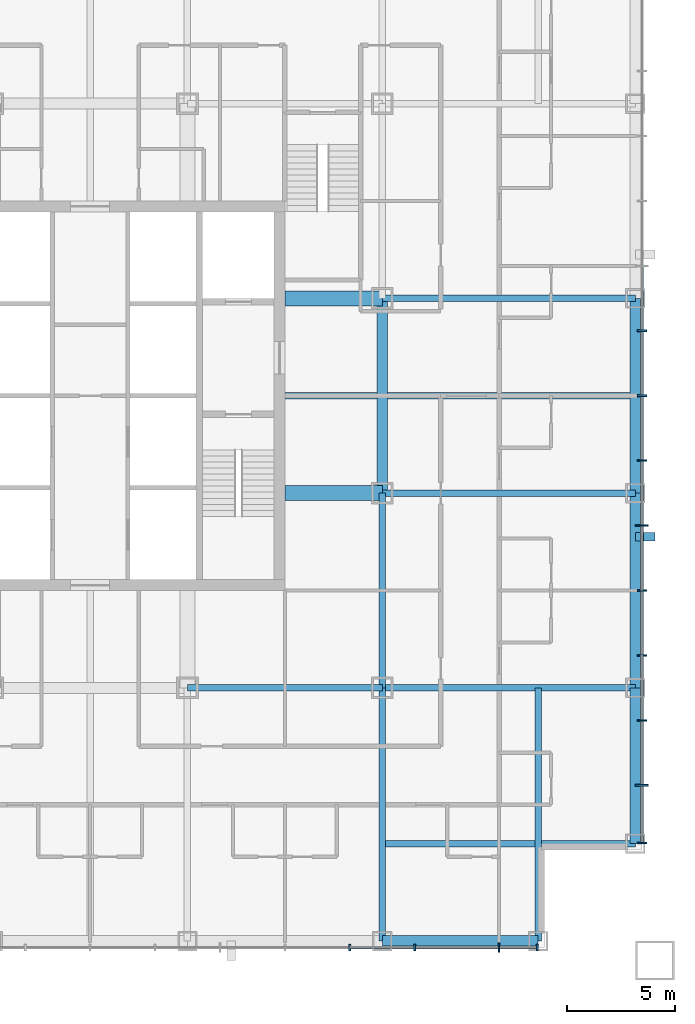
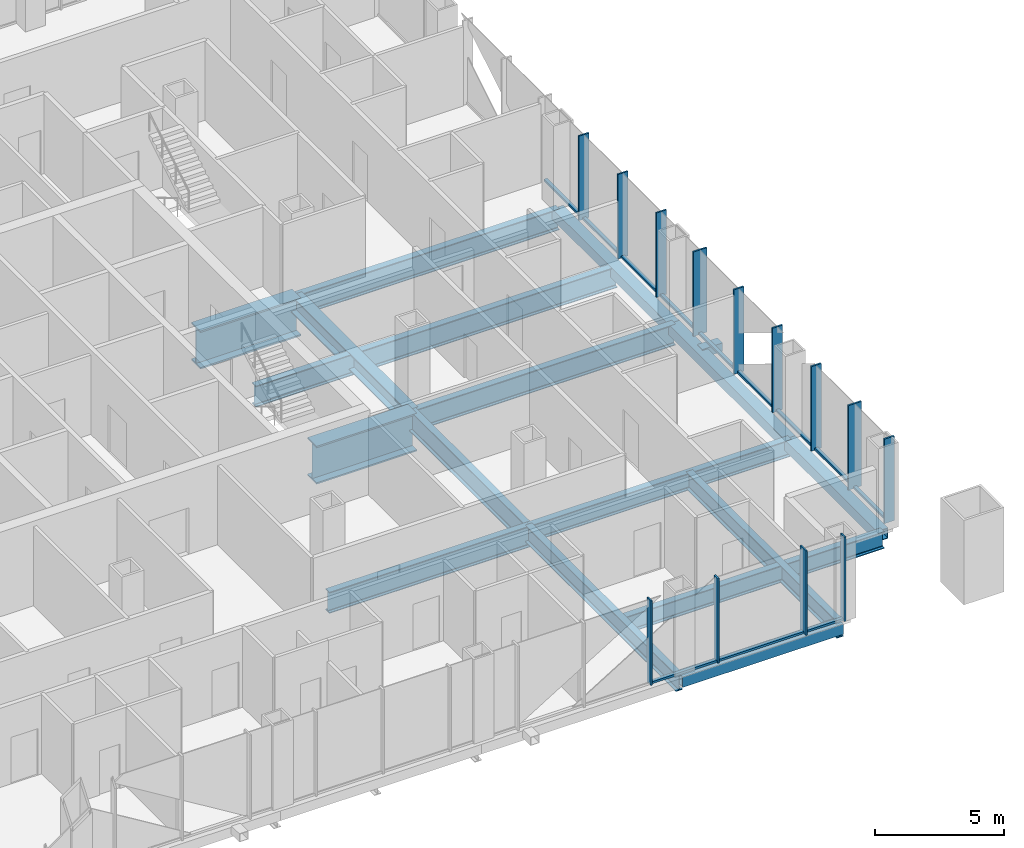
# One storey, part 3 of 17: 26 members, 16 beams, 2 elements without a shape of their own.
"""IFC4 building model written with IfcOpenShell, lengths in metres."""

from ifc_helpers import new_model, si_unit, direction, frame, origin, origin_2d, place, context, subcontext, project, spatial, rectangle, hollow_rectangle, i_section, extrude, material, layer, layer_set, material_profile, profile_set, type_object, element, aggregate, save


model = new_model("IFC4")

# Units and contexts
model_context = context("Model", 3, precision=1e-05, world=origin(), true_north=direction((0.0, 1.0)))
body_context = subcontext(model_context, "Body", "Model", "MODEL_VIEW")
ifc_project = project(units=[si_unit("LENGTHUNIT", "METRE"), si_unit("AREAUNIT", "SQUARE_METRE"), si_unit("VOLUMEUNIT", "CUBIC_METRE"), si_unit("PLANEANGLEUNIT", "RADIAN"), si_unit("MASSUNIT", "GRAM", prefix="KILO")], contexts=[model_context])

# Site, building, storey
site_placement = place(None, origin())
site = spatial("IfcSite", under=ifc_project, at=site_placement, CompositionType="ELEMENT")
building_placement = place(site_placement, origin())
building = spatial("IfcBuilding", under=site, at=building_placement, Name="Malebo Sky Hospital", CompositionType="ELEMENT")
storey_placement = place(building_placement, frame((0.0, 0.0, 51.0)))
storey = spatial("IfcBuildingStorey", under=building, at=storey_placement, Name="L11", CompositionType="ELEMENT", Elevation=51.0)

# Curtain wall, members
ifc_material_1 = material(Name="Anodised aluminium, natural silver", Category="aluminium")
ifc_layer_1 = layer(ifc_material_1, 0.25)
ifc_layer_set_1 = layer_set([ifc_layer_1], Name="WARD CURTAIN WALL NORTH AND SOUTH")
curtain_wall_type_1 = type_object("IfcCurtainWallType", Name="WARD CURTAIN WALL NORTH AND SOUTH", PredefinedType="NOTDEFINED", material=ifc_layer_set_1)
curtain_wall_1_placement = place(storey_placement, origin())
curtain_wall_1 = element("IfcCurtainWall", 1, at=curtain_wall_1_placement, inside=storey, type_object=curtain_wall_type_1, Name="NS curtain wall S", PredefinedType="NOTDEFINED")
ifc_material_profile_1 = material_profile(ifc_material_1, rectangle(XDim=0.14990234375, YDim=0.10009765625, at=origin_2d()), Name="ALUMINIUM TRANSOM 150x100")
ifc_profile_set_1 = profile_set([ifc_material_profile_1], Name="Anodised aluminium, natural silver")
member_type_1 = type_object("IfcMemberType", Name="ALUMINIUM TRANSOM 150x100", PredefinedType="USERDEFINED", material=ifc_profile_set_1)
member_1_placement = place(storey_placement, frame((80.625, 36.5, 0.050048828125), z_axis=(-1.0, 0.0, 0.0), x_axis=(0.0, -1.0, 0.0)))
member_1 = element("IfcMember", 2, at=member_1_placement, type_object=member_type_1, Name="Transom 1", ObjectType="TRANSOM", PredefinedType="USERDEFINED", context=body_context, shape_type="SweptSolid", body=[
    extrude(rectangle(XDim=0.14990234375, YDim=0.10009765625, at=origin_2d()), origin(), (0.0, 0.0, 1.0), 1.6875),
])
member_2_placement = place(storey_placement, frame((78.862548828125, 36.5, 0.050048828125), z_axis=(-1.0, 0.0, 0.0), x_axis=(0.0, -1.0, 0.0)))
member_2 = element("IfcMember", 3, at=member_2_placement, type_object=member_type_1, Name="Transom 2", ObjectType="TRANSOM", PredefinedType="USERDEFINED", context=body_context, shape_type="SweptSolid", body=[
    extrude(rectangle(XDim=0.14990234375, YDim=0.10009765625, at=origin_2d()), origin(), (0.0, 0.0, 1.0), 3.824951171875),
])
member_3_placement = place(storey_placement, frame((74.96240234375, 36.5, 0.050048828125), z_axis=(-1.0, 0.0, 0.0), x_axis=(0.0, -1.0, 0.0)))
member_3 = element("IfcMember", 4, at=member_3_placement, type_object=member_type_1, Name="Transom 3", ObjectType="TRANSOM", PredefinedType="USERDEFINED", context=body_context, shape_type="SweptSolid", body=[
    extrude(rectangle(XDim=0.14990234375, YDim=0.10009765625, at=origin_2d()), origin(), (0.0, 0.0, 1.0), 2.9248046875),
])

ifc_layer_2 = layer(ifc_material_1, 0.25)
ifc_layer_set_2 = layer_set([ifc_layer_2], Name="WARD CURTAIN WALL EAST AND WEST")
curtain_wall_type_2 = type_object("IfcCurtainWallType", Name="WARD CURTAIN WALL EAST AND WEST", PredefinedType="NOTDEFINED", material=ifc_layer_set_2)
curtain_wall_2_placement = place(storey_placement, origin())
curtain_wall_2 = element("IfcCurtainWall", 5, at=curtain_wall_2_placement, inside=storey, type_object=curtain_wall_type_2, Name="EW curtain wall E", PredefinedType="NOTDEFINED")
member_4_placement = place(storey_placement, frame((85.5, 67.96240234375, 0.050048828125), z_axis=(0.0, -1.0, 0.0), x_axis=(1.0, 0.0, 0.0)))
member_4 = element("IfcMember", 6, at=member_4_placement, type_object=member_type_1, Name="Transom 6", ObjectType="TRANSOM", PredefinedType="USERDEFINED", context=body_context, shape_type="SweptSolid", body=[
    extrude(rectangle(XDim=0.14990234375, YDim=0.10009765625, at=origin_2d()), origin(), (0.0, 0.0, 1.0), 2.9248046875),
])
member_5_placement = place(storey_placement, frame((85.5, 64.96240234375, 0.050048828125), z_axis=(0.0, -1.0, 0.0), x_axis=(1.0, 0.0, 0.0)))
member_5 = element("IfcMember", 7, at=member_5_placement, type_object=member_type_1, Name="Transom 7", ObjectType="TRANSOM", PredefinedType="USERDEFINED", context=body_context, shape_type="SweptSolid", body=[
    extrude(rectangle(XDim=0.14990234375, YDim=0.10009765625, at=origin_2d()), origin(), (0.0, 0.0, 1.0), 2.9248046875),
])
member_6_placement = place(storey_placement, frame((85.5, 61.96240234375, 0.050048828125), z_axis=(0.0, -1.0, 0.0), x_axis=(1.0, 0.0, 0.0)))
member_6 = element("IfcMember", 8, at=member_6_placement, type_object=member_type_1, Name="Transom 8", ObjectType="TRANSOM", PredefinedType="USERDEFINED", context=body_context, shape_type="SweptSolid", body=[
    extrude(rectangle(XDim=0.14990234375, YDim=0.10009765625, at=origin_2d()), origin(), (0.0, 0.0, 1.0), 2.9248046875),
])
member_7_placement = place(storey_placement, frame((85.5, 58.96240234375, 0.050048828125), z_axis=(0.0, -1.0, 0.0), x_axis=(1.0, 0.0, 0.0)))
member_7 = element("IfcMember", 9, at=member_7_placement, type_object=member_type_1, Name="Transom 9", ObjectType="TRANSOM", PredefinedType="USERDEFINED", context=body_context, shape_type="SweptSolid", body=[
    extrude(rectangle(XDim=0.14990234375, YDim=0.10009765625, at=origin_2d()), origin(), (0.0, 0.0, 1.0), 2.9248046875),
])
member_8_placement = place(storey_placement, frame((85.5, 55.96240234375, 0.050048828125), z_axis=(0.0, -1.0, 0.0), x_axis=(1.0, 0.0, 0.0)))
member_8 = element("IfcMember", 10, at=member_8_placement, type_object=member_type_1, Name="Transom 10", ObjectType="TRANSOM", PredefinedType="USERDEFINED", context=body_context, shape_type="SweptSolid", body=[
    extrude(rectangle(XDim=0.14990234375, YDim=0.10009765625, at=origin_2d()), origin(), (0.0, 0.0, 1.0), 2.9248046875),
])
member_9_placement = place(storey_placement, frame((85.5, 52.96240234375, 0.050048828125), z_axis=(0.0, -1.0, 0.0), x_axis=(1.0, 0.0, 0.0)))
member_9 = element("IfcMember", 11, at=member_9_placement, type_object=member_type_1, Name="Transom 11", ObjectType="TRANSOM", PredefinedType="USERDEFINED", context=body_context, shape_type="SweptSolid", body=[
    extrude(rectangle(XDim=0.14990234375, YDim=0.10009765625, at=origin_2d()), origin(), (0.0, 0.0, 1.0), 2.9248046875),
])
member_10_placement = place(storey_placement, frame((85.5, 49.96240234375, 0.050048828125), z_axis=(0.0, -1.0, 0.0), x_axis=(1.0, 0.0, 0.0)))
member_10 = element("IfcMember", 12, at=member_10_placement, type_object=member_type_1, Name="Transom 12", ObjectType="TRANSOM", PredefinedType="USERDEFINED", context=body_context, shape_type="SweptSolid", body=[
    extrude(rectangle(XDim=0.14990234375, YDim=0.10009765625, at=origin_2d()), origin(), (0.0, 0.0, 1.0), 2.9248046875),
])
member_11_placement = place(storey_placement, frame((85.5, 46.96240234375, 0.050048828125), z_axis=(0.0, -1.0, 0.0), x_axis=(1.0, 0.0, 0.0)))
member_11 = element("IfcMember", 13, at=member_11_placement, type_object=member_type_1, Name="Transom 13", ObjectType="TRANSOM", PredefinedType="USERDEFINED", context=body_context, shape_type="SweptSolid", body=[
    extrude(rectangle(XDim=0.14990234375, YDim=0.10009765625, at=origin_2d()), origin(), (0.0, 0.0, 1.0), 2.9248046875),
])
member_12_placement = place(storey_placement, frame((85.5, 43.96240234375, 0.050048828125), z_axis=(0.0, -1.0, 0.0), x_axis=(1.0, 0.0, 0.0)))
member_12 = element("IfcMember", 14, at=member_12_placement, type_object=member_type_1, Name="Transom 14", ObjectType="TRANSOM", PredefinedType="USERDEFINED", context=body_context, shape_type="SweptSolid", body=[
    extrude(rectangle(XDim=0.14990234375, YDim=0.10009765625, at=origin_2d()), origin(), (0.0, 0.0, 1.0), 2.58740234375),
])

# Member
ifc_material_2 = material(Name="Steel S355", Category="steel")
ifc_material_profile_2 = material_profile(ifc_material_2, hollow_rectangle(XDim=0.39990234375, YDim=0.39990234375, WallThickness=0.02001953125, at=origin_2d()), Name="SHS 400x20")
ifc_profile_set_2 = profile_set([ifc_material_profile_2], Name="Steel S355")
member_type_2 = type_object("IfcMemberType", Name="BRACE STRUT SHS 400x20", PredefinedType="STRUT", material=ifc_profile_set_2)
member_13_placement = place(storey_placement, frame((86.10009765625, 55.47509765625, -0.39990234375), z_axis=(-1.0, 0.0, 0.0), x_axis=(0.0, -1.0, 0.0)))
element("IfcMember", 15, at=member_13_placement, inside=storey, type_object=member_type_2, Name="Brace strut AE2 L11", PredefinedType="STRUT", context=body_context, shape_type="SweptSolid", body=[
    extrude(hollow_rectangle(XDim=0.39990234375, YDim=0.39990234375, WallThickness=0.02001953125, at=origin_2d()), origin(), (0.0, 0.0, 1.0), 0.900146484375),
])

ifc_material_profile_3 = material_profile(ifc_material_1, rectangle(XDim=0.074951171875, YDim=0.300048828125, at=origin_2d()), Name="CW1 ALUMINIUM FIN MULLION 75x300")
ifc_profile_set_3 = profile_set([ifc_material_profile_3], Name="Anodised aluminium, natural silver")
member_type_3 = type_object("IfcMemberType", Name="CW1 ALUMINIUM FIN MULLION 75x300", PredefinedType="MULLION", material=ifc_profile_set_3)
member_14_placement = place(storey_placement, frame((80.66259765625, 36.5, 0.0), z_axis=(0.0, 0.0, 1.0), x_axis=(-1.0, 0.0, 0.0)))
member_14 = element("IfcMember", 16, at=member_14_placement, type_object=member_type_3, Name="Fin mullion 1", PredefinedType="MULLION", context=body_context, shape_type="SweptSolid", body=[
    extrude(rectangle(XDim=0.074951171875, YDim=0.300048828125, at=origin_2d()), origin(), (0.0, 0.0, 1.0), 4.0),
])

member_15_placement = place(storey_placement, frame((75.0, 36.5, 0.0), z_axis=(0.0, 0.0, 1.0), x_axis=(-1.0, 0.0, 0.0)))
member_15 = element("IfcMember", 17, at=member_15_placement, type_object=member_type_3, Name="Fin mullion 3", PredefinedType="MULLION", context=body_context, shape_type="SweptSolid", body=[
    extrude(rectangle(XDim=0.074951171875, YDim=0.300048828125, at=origin_2d()), origin(), (0.0, 0.0, 1.0), 4.0),
])

member_16_placement = place(storey_placement, frame((72.0, 36.5, 0.0), z_axis=(0.0, 0.0, 1.0), x_axis=(-1.0, 0.0, 0.0)))
member_16 = element("IfcMember", 18, at=member_16_placement, type_object=member_type_3, Name="Fin mullion 4", PredefinedType="MULLION", context=body_context, shape_type="SweptSolid", body=[
    extrude(rectangle(XDim=0.074951171875, YDim=0.300048828125, at=origin_2d()), origin(), (0.0, 0.0, 1.0), 4.0),
])

ifc_material_profile_4 = material_profile(ifc_material_1, rectangle(XDim=0.074951171875, YDim=0.449951171875, at=origin_2d()), Name="CW1 ALUMINIUM FIN MULLION 75x450")
ifc_profile_set_4 = profile_set([ifc_material_profile_4], Name="Anodised aluminium, natural silver")
member_type_4 = type_object("IfcMemberType", Name="CW1 ALUMINIUM FIN MULLION 75x450", PredefinedType="MULLION", material=ifc_profile_set_4)
member_17_placement = place(storey_placement, frame((78.89990234375, 36.5, 0.0), z_axis=(0.0, 0.0, 1.0), x_axis=(-1.0, 0.0, 0.0)))
member_17 = element("IfcMember", 19, at=member_17_placement, type_object=member_type_4, Name="Fin mullion 2", PredefinedType="MULLION", context=body_context, shape_type="SweptSolid", body=[
    extrude(rectangle(XDim=0.074951171875, YDim=0.449951171875, at=origin_2d()), origin(), (0.0, 0.0, 1.0), 4.0),
])

aggregate(curtain_wall_1, [member_14, member_17, member_15, member_16, member_1, member_2, member_3])

ifc_material_profile_5 = material_profile(ifc_material_1, rectangle(XDim=0.074951171875, YDim=0.449951171875, at=origin_2d()), Name="CW2 ALUMINIUM FIN MULLION 75x450")
ifc_profile_set_5 = profile_set([ifc_material_profile_5], Name="Anodised aluminium, natural silver")
member_type_5 = type_object("IfcMemberType", Name="CW2 ALUMINIUM FIN MULLION 75x450", PredefinedType="MULLION", material=ifc_profile_set_5)
member_18_placement = place(storey_placement, frame((85.5, 65.0, 0.0), z_axis=(0.0, 0.0, 1.0), x_axis=(0.0, -1.0, 0.0)))
member_18 = element("IfcMember", 20, at=member_18_placement, type_object=member_type_5, Name="Fin mullion 7", PredefinedType="MULLION", context=body_context, shape_type="SweptSolid", body=[
    extrude(rectangle(XDim=0.074951171875, YDim=0.449951171875, at=origin_2d()), origin(), (0.0, 0.0, 1.0), 4.0),
])

member_19_placement = place(storey_placement, frame((85.5, 62.0, 0.0), z_axis=(0.0, 0.0, 1.0), x_axis=(0.0, -1.0, 0.0)))
member_19 = element("IfcMember", 21, at=member_19_placement, type_object=member_type_5, Name="Fin mullion 8", PredefinedType="MULLION", context=body_context, shape_type="SweptSolid", body=[
    extrude(rectangle(XDim=0.074951171875, YDim=0.449951171875, at=origin_2d()), origin(), (0.0, 0.0, 1.0), 4.0),
])

member_20_placement = place(storey_placement, frame((85.5, 59.0, 0.0), z_axis=(0.0, 0.0, 1.0), x_axis=(0.0, -1.0, 0.0)))
member_20 = element("IfcMember", 22, at=member_20_placement, type_object=member_type_5, Name="Fin mullion 9", PredefinedType="MULLION", context=body_context, shape_type="SweptSolid", body=[
    extrude(rectangle(XDim=0.074951171875, YDim=0.449951171875, at=origin_2d()), origin(), (0.0, 0.0, 1.0), 4.0),
])

member_21_placement = place(storey_placement, frame((85.5, 53.0, 0.0), z_axis=(0.0, 0.0, 1.0), x_axis=(0.0, -1.0, 0.0)))
member_21 = element("IfcMember", 23, at=member_21_placement, type_object=member_type_5, Name="Fin mullion 11", PredefinedType="MULLION", context=body_context, shape_type="SweptSolid", body=[
    extrude(rectangle(XDim=0.074951171875, YDim=0.449951171875, at=origin_2d()), origin(), (0.0, 0.0, 1.0), 4.0),
])

member_22_placement = place(storey_placement, frame((85.5, 50.0, 0.0), z_axis=(0.0, 0.0, 1.0), x_axis=(0.0, -1.0, 0.0)))
member_22 = element("IfcMember", 24, at=member_22_placement, type_object=member_type_5, Name="Fin mullion 12", PredefinedType="MULLION", context=body_context, shape_type="SweptSolid", body=[
    extrude(rectangle(XDim=0.074951171875, YDim=0.449951171875, at=origin_2d()), origin(), (0.0, 0.0, 1.0), 4.0),
])

member_23_placement = place(storey_placement, frame((85.5, 47.0, 0.0), z_axis=(0.0, 0.0, 1.0), x_axis=(0.0, -1.0, 0.0)))
member_23 = element("IfcMember", 25, at=member_23_placement, type_object=member_type_5, Name="Fin mullion 13", PredefinedType="MULLION", context=body_context, shape_type="SweptSolid", body=[
    extrude(rectangle(XDim=0.074951171875, YDim=0.449951171875, at=origin_2d()), origin(), (0.0, 0.0, 1.0), 4.0),
])

member_24_placement = place(storey_placement, frame((85.5, 41.33740234375, 0.0), z_axis=(0.0, 0.0, 1.0), x_axis=(0.0, -1.0, 0.0)))
member_24 = element("IfcMember", 26, at=member_24_placement, type_object=member_type_5, Name="Fin mullion 15", PredefinedType="MULLION", context=body_context, shape_type="SweptSolid", body=[
    extrude(rectangle(XDim=0.074951171875, YDim=0.449951171875, at=origin_2d()), origin(), (0.0, 0.0, 1.0), 4.0),
])

ifc_material_profile_6 = material_profile(ifc_material_1, rectangle(XDim=0.074951171875, YDim=0.60009765625, at=origin_2d()), Name="CW2 ALUMINIUM FIN MULLION 75x600")
ifc_profile_set_6 = profile_set([ifc_material_profile_6], Name="Anodised aluminium, natural silver")
member_type_6 = type_object("IfcMemberType", Name="CW2 ALUMINIUM FIN MULLION 75x600", PredefinedType="MULLION", material=ifc_profile_set_6)
member_25_placement = place(storey_placement, frame((85.5, 56.0, 0.0), z_axis=(0.0, 0.0, 1.0), x_axis=(0.0, -1.0, 0.0)))
member_25 = element("IfcMember", 27, at=member_25_placement, type_object=member_type_6, Name="Fin mullion 10", PredefinedType="MULLION", context=body_context, shape_type="SweptSolid", body=[
    extrude(rectangle(XDim=0.074951171875, YDim=0.60009765625, at=origin_2d()), origin(), (0.0, 0.0, 1.0), 4.0),
])

member_26_placement = place(storey_placement, frame((85.5, 44.0, 0.0), z_axis=(0.0, 0.0, 1.0), x_axis=(0.0, -1.0, 0.0)))
member_26 = element("IfcMember", 28, at=member_26_placement, type_object=member_type_6, Name="Fin mullion 14", PredefinedType="MULLION", context=body_context, shape_type="SweptSolid", body=[
    extrude(rectangle(XDim=0.074951171875, YDim=0.60009765625, at=origin_2d()), origin(), (0.0, 0.0, 1.0), 4.0),
])

aggregate(curtain_wall_2, [member_18, member_19, member_20, member_25, member_21, member_22, member_23, member_26, member_24, member_4, member_5, member_6, member_7, member_8, member_9, member_10, member_11, member_12])

# Beams
ifc_material_3 = material(Name="Steel S460", Category="steel")
ifc_material_profile_7 = material_profile(ifc_material_3, hollow_rectangle(XDim=0.5, YDim=0.5, WallThickness=0.030029296875, at=origin_2d()), Name="BOX 500x500x30")
ifc_profile_set_7 = profile_set([ifc_material_profile_7], Name="Steel S460")
beam_type_1 = type_object("IfcBeamType", Name="EDGE BEAM BOX 500x500x30", PredefinedType="BEAM", material=ifc_profile_set_7)
beam_1_placement = place(storey_placement, frame((85.199951171875, 41.300048828125, -0.5), z_axis=(0.0, 1.0, 0.0), x_axis=(-1.0, 0.0, 0.0)))
element("IfcBeam", 29, at=beam_1_placement, inside=storey, type_object=beam_type_1, Name="Beam 029 L11", PredefinedType="BEAM", context=body_context, shape_type="SweptSolid", body=[
    extrude(hollow_rectangle(XDim=0.5, YDim=0.5, WallThickness=0.030029296875, at=origin_2d()), origin(), (0.0, 0.0, 1.0), 7.199951171875),
])
for number, where, z_axis, x_axis, name in (
    (30, (85.199951171875, 48.5, -0.5), (0.0, 1.0, 0.0), (-1.0, 0.0, 0.0), "Beam 030 L11"),
    (31, (85.199951171875, 57.5, -0.5), (0.0, 1.0, 0.0), (-1.0, 0.0, 0.0), "Beam 031 L11"),
):
    element("IfcBeam", number, at=place(storey_placement, frame(where, z_axis=z_axis, x_axis=x_axis)), inside=storey, type_object=beam_type_1, Name=name, PredefinedType="BEAM", context=body_context, shape_type="SweptSolid", body=[
        extrude(hollow_rectangle(XDim=0.5, YDim=0.5, WallThickness=0.030029296875, at=origin_2d()), origin(), (0.0, 0.0, 1.0), 9.0),
    ])
beam_2_placement = place(storey_placement, frame((73.5, 36.800048828125, -0.5), z_axis=(1.0, 0.0, 0.0), x_axis=(0.0, 1.0, 0.0)))
element("IfcBeam", 32, at=beam_2_placement, inside=storey, type_object=beam_type_1, Name="Beam 038 L11", PredefinedType="BEAM", context=body_context, shape_type="SweptSolid", body=[
    extrude(hollow_rectangle(XDim=0.5, YDim=0.5, WallThickness=0.030029296875, at=origin_2d()), origin(), (0.0, 0.0, 1.0), 7.199951171875),
])
ifc_material_profile_8 = material_profile(ifc_material_2, i_section(OverallWidth=0.300048828125, OverallDepth=1.0, WebThickness=0.01904296875, FlangeThickness=0.035888671875, FilletRadius=0.030029296875, at=origin_2d()), Name="HEB 1000")
ifc_profile_set_8 = profile_set([ifc_material_profile_8], Name="Steel S355")
beam_type_2 = type_object("IfcBeamType", Name="FLOOR BEAM HEB 1000", PredefinedType="BEAM", material=ifc_profile_set_8)
for number, where, z_axis, x_axis, name in (
    (33, (73.5, 48.5, -0.75), (0.0, 1.0, 0.0), (-1.0, 0.0, 0.0), "Beam 023 L11"),
    (34, (64.5, 48.5, -0.75), (1.0, 0.0, 0.0), (0.0, 1.0, 0.0), "Beam 044 L11"),
):
    element("IfcBeam", number, at=place(storey_placement, frame(where, z_axis=z_axis, x_axis=x_axis)), inside=storey, type_object=beam_type_2, Name=name, PredefinedType="BEAM", context=body_context, shape_type="SweptSolid", body=[
        extrude(i_section(OverallWidth=0.300048828125, OverallDepth=1.0, WebThickness=0.01904296875, FlangeThickness=0.035888671875, FilletRadius=0.030029296875, at=origin_2d()), origin(), (0.0, 0.0, 1.0), 9.0),
    ])
beam_3_placement = place(storey_placement, frame((73.5, 57.5, -0.75), z_axis=(1.0, 0.0, 0.0), x_axis=(0.0, 1.0, 0.0)))
element("IfcBeam", 35, at=beam_3_placement, inside=storey, type_object=beam_type_2, Name="Beam 049 L11", PredefinedType="BEAM", context=body_context, shape_type="SweptSolid", body=[
    extrude(i_section(OverallWidth=0.300048828125, OverallDepth=1.0, WebThickness=0.01904296875, FlangeThickness=0.035888671875, FilletRadius=0.030029296875, at=origin_2d()), origin(), (0.0, 0.0, 1.0), 11.699951171875),
])
beam_4_placement = place(storey_placement, frame((69.0, 62.0, -0.75), z_axis=(1.0, 0.0, 0.0), x_axis=(0.0, 1.0, 0.0)))
element("IfcBeam", 36, at=beam_4_placement, inside=storey, type_object=beam_type_2, Name="Beam 051 L11", PredefinedType="BEAM", context=body_context, shape_type="SweptSolid", body=[
    extrude(i_section(OverallWidth=0.300048828125, OverallDepth=1.0, WebThickness=0.01904296875, FlangeThickness=0.035888671875, FilletRadius=0.030029296875, at=origin_2d()), origin(), (0.0, 0.0, 1.0), 16.199951171875),
])
beam_5_placement = place(storey_placement, frame((73.5, 66.5, -0.75), z_axis=(1.0, 0.0, 0.0), x_axis=(0.0, 1.0, 0.0)))
element("IfcBeam", 37, at=beam_5_placement, inside=storey, type_object=beam_type_2, Name="Beam 055 L11", PredefinedType="BEAM", context=body_context, shape_type="SweptSolid", body=[
    extrude(i_section(OverallWidth=0.300048828125, OverallDepth=1.0, WebThickness=0.01904296875, FlangeThickness=0.035888671875, FilletRadius=0.030029296875, at=origin_2d()), origin(), (0.0, 0.0, 1.0), 11.699951171875),
])
ifc_material_profile_9 = material_profile(ifc_material_2, i_section(OverallWidth=0.300048828125, OverallDepth=0.800048828125, WebThickness=0.017578125, FlangeThickness=0.032958984375, FilletRadius=0.030029296875, at=origin_2d()), Name="HEB 800")
ifc_profile_set_9 = profile_set([ifc_material_profile_9], Name="Steel S355")
beam_type_3 = type_object("IfcBeamType", Name="FLOOR BEAM HEB 800", PredefinedType="BEAM", material=ifc_profile_set_9)
for number, where, z_axis, x_axis, name in (
    (38, (80.699951171875, 36.800048828125, -0.64990234375), (0.0, 1.0, 0.0), (-1.0, 0.0, 0.0), "Beam 027 L11"),
    (39, (73.5, 41.300048828125, -0.64990234375), (1.0, 0.0, 0.0), (0.0, 1.0, 0.0), "Beam 040 L11"),
):
    element("IfcBeam", number, at=place(storey_placement, frame(where, z_axis=z_axis, x_axis=x_axis)), inside=storey, type_object=beam_type_3, Name=name, PredefinedType="BEAM", context=body_context, shape_type="SweptSolid", body=[
        extrude(i_section(OverallWidth=0.300048828125, OverallDepth=0.800048828125, WebThickness=0.017578125, FlangeThickness=0.032958984375, FilletRadius=0.030029296875, at=origin_2d()), origin(), (0.0, 0.0, 1.0), 11.699951171875),
    ])
ifc_material_profile_10 = material_profile(ifc_material_2, i_section(OverallWidth=0.699951171875, OverallDepth=1.800048828125, WebThickness=0.034912109375, FlangeThickness=0.070068359375, at=origin_2d()), Name="PG 1800x700x35x70")
ifc_profile_set_10 = profile_set([ifc_material_profile_10], Name="Steel S355")
beam_type_4 = type_object("IfcBeamType", Name="FLOOR BEAM PG 1800x700x35x70", PredefinedType="BEAM", material=ifc_profile_set_10)
for number, where, z_axis, x_axis, name in (
    (40, (69.0, 57.5, -1.14990234375), (1.0, 0.0, 0.0), (0.0, 1.0, 0.0), "Beam 048 L11"),
    (41, (69.0, 66.5, -1.14990234375), (1.0, 0.0, 0.0), (0.0, 1.0, 0.0), "Beam 054 L11"),
):
    element("IfcBeam", number, at=place(storey_placement, frame(where, z_axis=z_axis, x_axis=x_axis)), inside=storey, type_object=beam_type_4, Name=name, PredefinedType="BEAM", context=body_context, shape_type="SweptSolid", body=[
        extrude(i_section(OverallWidth=0.699951171875, OverallDepth=1.800048828125, WebThickness=0.034912109375, FlangeThickness=0.070068359375, at=origin_2d()), origin(), (0.0, 0.0, 1.0), 4.5),
    ])
ifc_material_profile_11 = material_profile(ifc_material_2, i_section(OverallWidth=0.300048828125, OverallDepth=0.800048828125, WebThickness=0.017578125, FlangeThickness=0.032958984375, FilletRadius=0.030029296875, at=origin_2d()), Name="HEB 800")
ifc_profile_set_11 = profile_set([ifc_material_profile_11], Name="Steel S355")
beam_type_5 = type_object("IfcBeamType", Name="FLOOR GIRDER HEB 800", PredefinedType="BEAM", material=ifc_profile_set_11)
for number, where, z_axis, x_axis, name in (
    (42, (73.5, 36.800048828125, -0.64990234375), (0.0, 1.0, 0.0), (-1.0, 0.0, 0.0), "Beam 022 L11"),
    (43, (73.5, 48.5, -0.64990234375), (1.0, 0.0, 0.0), (0.0, 1.0, 0.0), "Beam 045 L11"),
):
    element("IfcBeam", number, at=place(storey_placement, frame(where, z_axis=z_axis, x_axis=x_axis)), inside=storey, type_object=beam_type_5, Name=name, PredefinedType="BEAM", context=body_context, shape_type="SweptSolid", body=[
        extrude(i_section(OverallWidth=0.300048828125, OverallDepth=0.800048828125, WebThickness=0.017578125, FlangeThickness=0.032958984375, FilletRadius=0.030029296875, at=origin_2d()), origin(), (0.0, 0.0, 1.0), 11.699951171875),
    ])
ifc_material_profile_12 = material_profile(ifc_material_2, i_section(OverallWidth=0.5, OverallDepth=0.800048828125, WebThickness=0.030029296875, FlangeThickness=0.050048828125, at=origin_2d()), Name="PG 800x500x30x50")
ifc_profile_set_12 = profile_set([ifc_material_profile_12], Name="Steel S355")
beam_type_6 = type_object("IfcBeamType", Name="RING GIRDER PG 800x500x30x50", PredefinedType="BEAM", material=ifc_profile_set_12)
beam_6_placement = place(storey_placement, frame((73.5, 57.5, -0.64990234375), z_axis=(0.0, 1.0, 0.0), x_axis=(-1.0, 0.0, 0.0)))
element("IfcBeam", 44, at=beam_6_placement, inside=storey, type_object=beam_type_6, Name="Beam 024 L11", PredefinedType="BEAM", context=body_context, shape_type="SweptSolid", body=[
    extrude(i_section(OverallWidth=0.5, OverallDepth=0.800048828125, WebThickness=0.030029296875, FlangeThickness=0.050048828125, at=origin_2d()), origin(), (0.0, 0.0, 1.0), 9.0),
])

save(model, "model.ifc")
